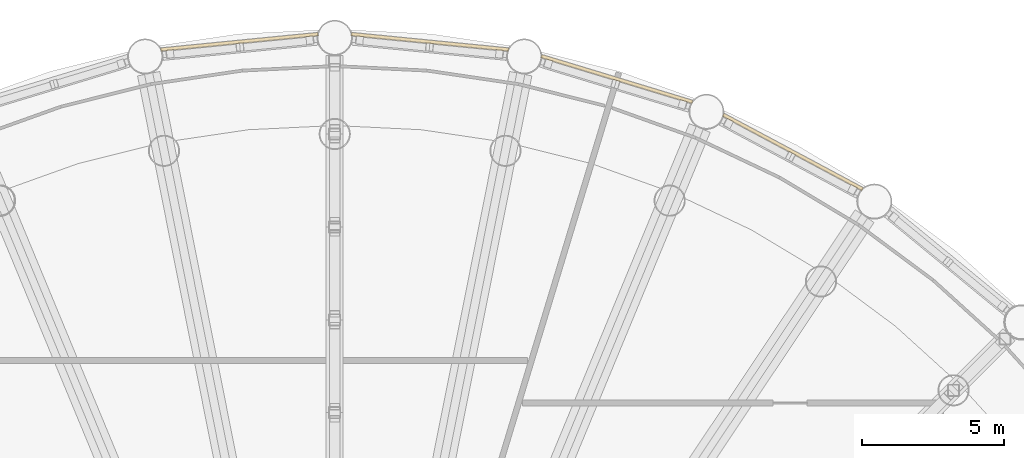
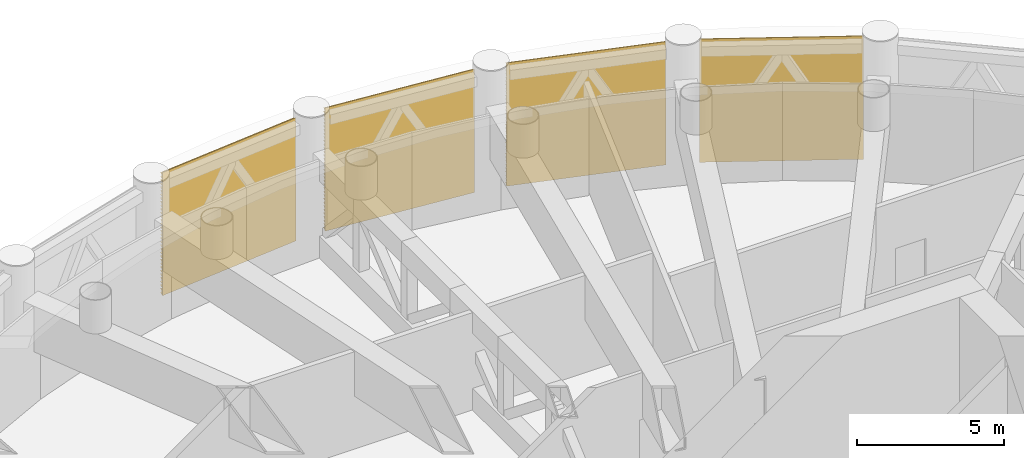
# One storey, part 29 of 29: 4 shading devices, 4 elements without a shape of their own.
"""IFC4 building model written with IfcOpenShell, lengths in metres."""

from ifc_helpers import new_model, si_unit, direction, frame, origin, place, context, subcontext, project, spatial, polyline, outline, extrude, material, material_profile, profile_set, type_object, element, aggregate, save


model = new_model("IFC4")

# Units and contexts
model_context = context("Model", 3, precision=1e-05, world=origin(), true_north=direction((0.0, 1.0)))
body_context = subcontext(model_context, "Body", "Model", "MODEL_VIEW")
ifc_project = project(units=[si_unit("LENGTHUNIT", "METRE"), si_unit("AREAUNIT", "SQUARE_METRE"), si_unit("VOLUMEUNIT", "CUBIC_METRE"), si_unit("PLANEANGLEUNIT", "RADIAN"), si_unit("MASSUNIT", "GRAM", prefix="KILO")], contexts=[model_context])

# Site, building, storey
site_placement = place(None, origin())
site = spatial("IfcSite", under=ifc_project, at=site_placement, CompositionType="ELEMENT")
building_placement = place(site_placement, origin())
building = spatial("IfcBuilding", under=site, at=building_placement, Name="Corvane Civic Tower", CompositionType="ELEMENT")
storey_placement = place(building_placement, frame((0.0, 0.0, 138.5)))
storey = spatial("IfcBuildingStorey", under=building, at=storey_placement, Name="L32", CompositionType="ELEMENT", Elevation=138.5)

# Curtain wall, shading device
ifc_material_1 = material(Name="Anodised aluminium bronze", Category="aluminium")
curtain_wall_type = type_object("IfcCurtainWallType", Name="TOWER CW-LV LOUVRE SCREEN WALL", PredefinedType="NOTDEFINED", material=ifc_material_1)
curtain_wall_1_placement = place(storey_placement, origin())
curtain_wall_1 = element("IfcCurtainWall", 1, at=curtain_wall_1_placement, inside=storey, type_object=curtain_wall_type, Name="Louvre screen wall CW-LV L32 bay 01", PredefinedType="NOTDEFINED")
ifc_material_2 = material(Name="Anodised aluminium bronze", Category="aluminium")
ifc_material_profile = material_profile(ifc_material_2, outline(polyline([(-0.06005859375, -2.56494140625), (-0.0400390625, -2.56494140625), (0.06005859375, -2.492919921875), (0.06005859375, -2.472900390625), (-0.0400390625, -2.544921875), (-0.0400390625, -2.4140625), (0.06005859375, -2.342041015625), (0.06005859375, -2.322021484375), (-0.0400390625, -2.39404296875), (-0.0400390625, -2.26318359375), (0.06005859375, -2.191162109375), (0.06005859375, -2.171142578125), (-0.0400390625, -2.2431640625), (-0.0400390625, -2.1123046875), (0.06005859375, -2.040283203125), (0.06005859375, -2.0205078125), (-0.0400390625, -2.09228515625), (-0.0400390625, -1.96142578125), (0.06005859375, -1.889404296875), (0.06005859375, -1.869384765625), (-0.0400390625, -1.94140625), (-0.0400390625, -1.810546875), (0.06005859375, -1.738525390625), (0.06005859375, -1.718505859375), (-0.0400390625, -1.79052734375), (-0.0400390625, -1.65966796875), (0.06005859375, -1.587646484375), (0.06005859375, -1.567626953125), (-0.0400390625, -1.6396484375), (-0.0400390625, -1.5087890625), (0.06005859375, -1.436767578125), (0.06005859375, -1.416748046875), (-0.0400390625, -1.48876953125), (-0.0400390625, -1.35791015625), (0.06005859375, -1.285888671875), (0.06005859375, -1.265869140625), (-0.0400390625, -1.337890625), (-0.0400390625, -1.20703125), (0.06005859375, -1.135009765625), (0.06005859375, -1.114990234375), (-0.0400390625, -1.18701171875), (-0.0400390625, -1.05615234375), (0.06005859375, -0.984130859375), (0.06005859375, -0.964111328125), (-0.0400390625, -1.0361328125), (-0.0400390625, -0.9052734375), (0.06005859375, -0.833251953125), (0.06005859375, -0.813232421875), (-0.0400390625, -0.88525390625), (-0.0400390625, -0.75439453125), (0.06005859375, -0.682373046875), (0.06005859375, -0.662353515625), (-0.0400390625, -0.734375), (-0.0400390625, -0.603515625), (0.06005859375, -0.531494140625), (0.06005859375, -0.511474609375), (-0.0400390625, -0.58349609375), (-0.0400390625, -0.45263671875), (0.06005859375, -0.380615234375), (0.06005859375, -0.360595703125), (-0.0400390625, -0.4326171875), (-0.0400390625, -0.3017578125), (0.06005859375, -0.229736328125), (0.06005859375, -0.209716796875), (-0.0400390625, -0.28173828125), (-0.0400390625, -0.15087890625), (0.06005859375, -0.078857421875), (0.06005859375, -0.058837890625), (-0.0400390625, -0.130859375), (-0.0400390625, 0.0), (0.06005859375, 0.072021484375), (0.06005859375, 0.092041015625), (-0.0400390625, 0.02001953125), (-0.0400390625, 0.15087890625), (0.06005859375, 0.222900390625), (0.06005859375, 0.242919921875), (-0.0400390625, 0.1708984375), (-0.0400390625, 0.3017578125), (0.06005859375, 0.373779296875), (0.06005859375, 0.393798828125), (-0.0400390625, 0.32177734375), (-0.0400390625, 0.45263671875), (0.06005859375, 0.524658203125), (0.06005859375, 0.544677734375), (-0.0400390625, 0.47265625), (-0.0400390625, 0.603515625), (0.06005859375, 0.675537109375), (0.06005859375, 0.695556640625), (-0.0400390625, 0.62353515625), (-0.0400390625, 0.75439453125), (0.06005859375, 0.826416015625), (0.06005859375, 0.846435546875), (-0.0400390625, 0.7744140625), (-0.0400390625, 0.9052734375), (0.06005859375, 0.977294921875), (0.06005859375, 0.997314453125), (-0.0400390625, 0.92529296875), (-0.0400390625, 1.05615234375), (0.06005859375, 1.128173828125), (0.06005859375, 1.148193359375), (-0.0400390625, 1.076171875), (-0.0400390625, 1.20703125), (0.06005859375, 1.279052734375), (0.06005859375, 1.299072265625), (-0.0400390625, 1.22705078125), (-0.0400390625, 1.35791015625), (0.06005859375, 1.429931640625), (0.06005859375, 1.449951171875), (-0.0400390625, 1.3779296875), (-0.0400390625, 1.5087890625), (0.06005859375, 1.580810546875), (0.06005859375, 1.600830078125), (-0.0400390625, 1.52880859375), (-0.0400390625, 1.65966796875), (0.06005859375, 1.731689453125), (0.06005859375, 1.751708984375), (-0.0400390625, 1.6796875), (-0.0400390625, 1.810546875), (0.06005859375, 1.882568359375), (0.06005859375, 1.902587890625), (-0.0400390625, 1.83056640625), (-0.0400390625, 1.96142578125), (0.06005859375, 2.033447265625), (0.06005859375, 2.053466796875), (-0.0400390625, 1.9814453125), (-0.0400390625, 2.1123046875), (0.06005859375, 2.184326171875), (0.06005859375, 2.204345703125), (-0.0400390625, 2.13232421875), (-0.0400390625, 2.26318359375), (0.06005859375, 2.335205078125), (0.06005859375, 2.355224609375), (-0.0400390625, 2.283203125), (-0.0400390625, 2.4140625), (0.06005859375, 2.486083984375), (0.06005859375, 2.506103515625), (-0.0400390625, 2.43408203125), (-0.0400390625, 2.56494140625), (-0.06005859375, 2.56494140625), (-0.06005859375, -2.56494140625)])), Name="TOWER LOUVRE BANK 5130 BRONZE")
ifc_profile_set = profile_set([ifc_material_profile], Name="Anodised aluminium bronze")
shading_device_type = type_object("IfcShadingDeviceType", Name="TOWER LOUVRE BANK 5130 BRONZE", PredefinedType="USERDEFINED", material=ifc_profile_set)
shading_device_1_placement = place(storey_placement, frame((0.58349609375, 34.422607421875, 2.68505859375), z_axis=(0.995179807033, -0.098067077419, 0.0), x_axis=(0.098067077419, 0.995179807033, 0.0)))
shading_device_1 = element("IfcShadingDevice", 2, at=shading_device_1_placement, type_object=shading_device_type, Name="Louvre bank L32 01.1", ObjectType="LOUVRE", PredefinedType="USERDEFINED", context=body_context, shape_type="SweptSolid", body=[
    extrude(outline(polyline([(-0.06005859375, -2.56494140625), (-0.0400390625, -2.56494140625), (0.06005859375, -2.492919921875), (0.06005859375, -2.472900390625), (-0.0400390625, -2.544921875), (-0.0400390625, -2.4140625), (0.06005859375, -2.342041015625), (0.06005859375, -2.322021484375), (-0.0400390625, -2.39404296875), (-0.0400390625, -2.26318359375), (0.06005859375, -2.191162109375), (0.06005859375, -2.171142578125), (-0.0400390625, -2.2431640625), (-0.0400390625, -2.1123046875), (0.06005859375, -2.040283203125), (0.06005859375, -2.0205078125), (-0.0400390625, -2.09228515625), (-0.0400390625, -1.96142578125), (0.06005859375, -1.889404296875), (0.06005859375, -1.869384765625), (-0.0400390625, -1.94140625), (-0.0400390625, -1.810546875), (0.06005859375, -1.738525390625), (0.06005859375, -1.718505859375), (-0.0400390625, -1.79052734375), (-0.0400390625, -1.65966796875), (0.06005859375, -1.587646484375), (0.06005859375, -1.567626953125), (-0.0400390625, -1.6396484375), (-0.0400390625, -1.5087890625), (0.06005859375, -1.436767578125), (0.06005859375, -1.416748046875), (-0.0400390625, -1.48876953125), (-0.0400390625, -1.35791015625), (0.06005859375, -1.285888671875), (0.06005859375, -1.265869140625), (-0.0400390625, -1.337890625), (-0.0400390625, -1.20703125), (0.06005859375, -1.135009765625), (0.06005859375, -1.114990234375), (-0.0400390625, -1.18701171875), (-0.0400390625, -1.05615234375), (0.06005859375, -0.984130859375), (0.06005859375, -0.964111328125), (-0.0400390625, -1.0361328125), (-0.0400390625, -0.9052734375), (0.06005859375, -0.833251953125), (0.06005859375, -0.813232421875), (-0.0400390625, -0.88525390625), (-0.0400390625, -0.75439453125), (0.06005859375, -0.682373046875), (0.06005859375, -0.662353515625), (-0.0400390625, -0.734375), (-0.0400390625, -0.603515625), (0.06005859375, -0.531494140625), (0.06005859375, -0.511474609375), (-0.0400390625, -0.58349609375), (-0.0400390625, -0.45263671875), (0.06005859375, -0.380615234375), (0.06005859375, -0.360595703125), (-0.0400390625, -0.4326171875), (-0.0400390625, -0.3017578125), (0.06005859375, -0.229736328125), (0.06005859375, -0.209716796875), (-0.0400390625, -0.28173828125), (-0.0400390625, -0.15087890625), (0.06005859375, -0.078857421875), (0.06005859375, -0.058837890625), (-0.0400390625, -0.130859375), (-0.0400390625, 0.0), (0.06005859375, 0.072021484375), (0.06005859375, 0.092041015625), (-0.0400390625, 0.02001953125), (-0.0400390625, 0.15087890625), (0.06005859375, 0.222900390625), (0.06005859375, 0.242919921875), (-0.0400390625, 0.1708984375), (-0.0400390625, 0.3017578125), (0.06005859375, 0.373779296875), (0.06005859375, 0.393798828125), (-0.0400390625, 0.32177734375), (-0.0400390625, 0.45263671875), (0.06005859375, 0.524658203125), (0.06005859375, 0.544677734375), (-0.0400390625, 0.47265625), (-0.0400390625, 0.603515625), (0.06005859375, 0.675537109375), (0.06005859375, 0.695556640625), (-0.0400390625, 0.62353515625), (-0.0400390625, 0.75439453125), (0.06005859375, 0.826416015625), (0.06005859375, 0.846435546875), (-0.0400390625, 0.7744140625), (-0.0400390625, 0.9052734375), (0.06005859375, 0.977294921875), (0.06005859375, 0.997314453125), (-0.0400390625, 0.92529296875), (-0.0400390625, 1.05615234375), (0.06005859375, 1.128173828125), (0.06005859375, 1.148193359375), (-0.0400390625, 1.076171875), (-0.0400390625, 1.20703125), (0.06005859375, 1.279052734375), (0.06005859375, 1.299072265625), (-0.0400390625, 1.22705078125), (-0.0400390625, 1.35791015625), (0.06005859375, 1.429931640625), (0.06005859375, 1.449951171875), (-0.0400390625, 1.3779296875), (-0.0400390625, 1.5087890625), (0.06005859375, 1.580810546875), (0.06005859375, 1.600830078125), (-0.0400390625, 1.52880859375), (-0.0400390625, 1.65966796875), (0.06005859375, 1.731689453125), (0.06005859375, 1.751708984375), (-0.0400390625, 1.6796875), (-0.0400390625, 1.810546875), (0.06005859375, 1.882568359375), (0.06005859375, 1.902587890625), (-0.0400390625, 1.83056640625), (-0.0400390625, 1.96142578125), (0.06005859375, 2.033447265625), (0.06005859375, 2.053466796875), (-0.0400390625, 1.9814453125), (-0.0400390625, 2.1123046875), (0.06005859375, 2.184326171875), (0.06005859375, 2.204345703125), (-0.0400390625, 2.13232421875), (-0.0400390625, 2.26318359375), (0.06005859375, 2.335205078125), (0.06005859375, 2.355224609375), (-0.0400390625, 2.283203125), (-0.0400390625, 2.4140625), (0.06005859375, 2.486083984375), (0.06005859375, 2.506103515625), (-0.0400390625, 2.43408203125), (-0.0400390625, 2.56494140625), (-0.06005859375, 2.56494140625), (-0.06005859375, -2.56494140625)])), origin(), (0.0, 0.0, 1.0), 5.58642578125),
])
aggregate(curtain_wall_1, [shading_device_1])

curtain_wall_2_placement = place(storey_placement, origin())
curtain_wall_2 = element("IfcCurtainWall", 3, at=curtain_wall_2_placement, inside=storey, type_object=curtain_wall_type, Name="Louvre screen wall CW-LV L32 bay 02", PredefinedType="NOTDEFINED")
shading_device_2_placement = place(storey_placement, frame((7.287841796875, 33.647216796875, 2.68505859375), z_axis=(0.956944977029, -0.290269376509, 0.0), x_axis=(0.290269376509, 0.956944977029, 0.0)))
shading_device_2 = element("IfcShadingDevice", 4, at=shading_device_2_placement, type_object=shading_device_type, Name="Louvre bank L32 02.1", ObjectType="LOUVRE", PredefinedType="USERDEFINED", context=body_context, shape_type="SweptSolid", body=[
    extrude(outline(polyline([(-0.06005859375, -2.56494140625), (-0.0400390625, -2.56494140625), (0.06005859375, -2.492919921875), (0.06005859375, -2.472900390625), (-0.0400390625, -2.544921875), (-0.0400390625, -2.4140625), (0.06005859375, -2.342041015625), (0.06005859375, -2.322021484375), (-0.0400390625, -2.39404296875), (-0.0400390625, -2.26318359375), (0.06005859375, -2.191162109375), (0.06005859375, -2.171142578125), (-0.0400390625, -2.2431640625), (-0.0400390625, -2.1123046875), (0.06005859375, -2.040283203125), (0.06005859375, -2.0205078125), (-0.0400390625, -2.09228515625), (-0.0400390625, -1.96142578125), (0.06005859375, -1.889404296875), (0.06005859375, -1.869384765625), (-0.0400390625, -1.94140625), (-0.0400390625, -1.810546875), (0.06005859375, -1.738525390625), (0.06005859375, -1.718505859375), (-0.0400390625, -1.79052734375), (-0.0400390625, -1.65966796875), (0.06005859375, -1.587646484375), (0.06005859375, -1.567626953125), (-0.0400390625, -1.6396484375), (-0.0400390625, -1.5087890625), (0.06005859375, -1.436767578125), (0.06005859375, -1.416748046875), (-0.0400390625, -1.48876953125), (-0.0400390625, -1.35791015625), (0.06005859375, -1.285888671875), (0.06005859375, -1.265869140625), (-0.0400390625, -1.337890625), (-0.0400390625, -1.20703125), (0.06005859375, -1.135009765625), (0.06005859375, -1.114990234375), (-0.0400390625, -1.18701171875), (-0.0400390625, -1.05615234375), (0.06005859375, -0.984130859375), (0.06005859375, -0.964111328125), (-0.0400390625, -1.0361328125), (-0.0400390625, -0.9052734375), (0.06005859375, -0.833251953125), (0.06005859375, -0.813232421875), (-0.0400390625, -0.88525390625), (-0.0400390625, -0.75439453125), (0.06005859375, -0.682373046875), (0.06005859375, -0.662353515625), (-0.0400390625, -0.734375), (-0.0400390625, -0.603515625), (0.06005859375, -0.531494140625), (0.06005859375, -0.511474609375), (-0.0400390625, -0.58349609375), (-0.0400390625, -0.45263671875), (0.06005859375, -0.380615234375), (0.06005859375, -0.360595703125), (-0.0400390625, -0.4326171875), (-0.0400390625, -0.3017578125), (0.06005859375, -0.229736328125), (0.06005859375, -0.209716796875), (-0.0400390625, -0.28173828125), (-0.0400390625, -0.15087890625), (0.06005859375, -0.078857421875), (0.06005859375, -0.058837890625), (-0.0400390625, -0.130859375), (-0.0400390625, 0.0), (0.06005859375, 0.072021484375), (0.06005859375, 0.092041015625), (-0.0400390625, 0.02001953125), (-0.0400390625, 0.15087890625), (0.06005859375, 0.222900390625), (0.06005859375, 0.242919921875), (-0.0400390625, 0.1708984375), (-0.0400390625, 0.3017578125), (0.06005859375, 0.373779296875), (0.06005859375, 0.393798828125), (-0.0400390625, 0.32177734375), (-0.0400390625, 0.45263671875), (0.06005859375, 0.524658203125), (0.06005859375, 0.544677734375), (-0.0400390625, 0.47265625), (-0.0400390625, 0.603515625), (0.06005859375, 0.675537109375), (0.06005859375, 0.695556640625), (-0.0400390625, 0.62353515625), (-0.0400390625, 0.75439453125), (0.06005859375, 0.826416015625), (0.06005859375, 0.846435546875), (-0.0400390625, 0.7744140625), (-0.0400390625, 0.9052734375), (0.06005859375, 0.977294921875), (0.06005859375, 0.997314453125), (-0.0400390625, 0.92529296875), (-0.0400390625, 1.05615234375), (0.06005859375, 1.128173828125), (0.06005859375, 1.148193359375), (-0.0400390625, 1.076171875), (-0.0400390625, 1.20703125), (0.06005859375, 1.279052734375), (0.06005859375, 1.299072265625), (-0.0400390625, 1.22705078125), (-0.0400390625, 1.35791015625), (0.06005859375, 1.429931640625), (0.06005859375, 1.449951171875), (-0.0400390625, 1.3779296875), (-0.0400390625, 1.5087890625), (0.06005859375, 1.580810546875), (0.06005859375, 1.600830078125), (-0.0400390625, 1.52880859375), (-0.0400390625, 1.65966796875), (0.06005859375, 1.731689453125), (0.06005859375, 1.751708984375), (-0.0400390625, 1.6796875), (-0.0400390625, 1.810546875), (0.06005859375, 1.882568359375), (0.06005859375, 1.902587890625), (-0.0400390625, 1.83056640625), (-0.0400390625, 1.96142578125), (0.06005859375, 2.033447265625), (0.06005859375, 2.053466796875), (-0.0400390625, 1.9814453125), (-0.0400390625, 2.1123046875), (0.06005859375, 2.184326171875), (0.06005859375, 2.204345703125), (-0.0400390625, 2.13232421875), (-0.0400390625, 2.26318359375), (0.06005859375, 2.335205078125), (0.06005859375, 2.355224609375), (-0.0400390625, 2.283203125), (-0.0400390625, 2.4140625), (0.06005859375, 2.486083984375), (0.06005859375, 2.506103515625), (-0.0400390625, 2.43408203125), (-0.0400390625, 2.56494140625), (-0.06005859375, 2.56494140625), (-0.06005859375, -2.56494140625)])), origin(), (0.0, 0.0, 1.0), 5.58642578125),
])
aggregate(curtain_wall_2, [shading_device_2])

curtain_wall_3_placement = place(storey_placement, origin())
curtain_wall_3 = element("IfcCurtainWall", 5, at=curtain_wall_3_placement, inside=storey, type_object=curtain_wall_type, Name="Louvre screen wall CW-LV L32 bay 03", PredefinedType="NOTDEFINED")
shading_device_3_placement = place(storey_placement, frame((13.712158203125, 31.5791015625, 2.68505859375), z_axis=(0.881920705407, -0.47139778253, 0.0), x_axis=(0.47139778253, 0.881920705407, 0.0)))
shading_device_3 = element("IfcShadingDevice", 6, at=shading_device_3_placement, type_object=shading_device_type, Name="Louvre bank L32 03.1", ObjectType="LOUVRE", PredefinedType="USERDEFINED", context=body_context, shape_type="SweptSolid", body=[
    extrude(outline(polyline([(-0.06005859375, -2.56494140625), (-0.0400390625, -2.56494140625), (0.06005859375, -2.492919921875), (0.06005859375, -2.472900390625), (-0.0400390625, -2.544921875), (-0.0400390625, -2.4140625), (0.06005859375, -2.342041015625), (0.06005859375, -2.322021484375), (-0.0400390625, -2.39404296875), (-0.0400390625, -2.26318359375), (0.06005859375, -2.191162109375), (0.06005859375, -2.171142578125), (-0.0400390625, -2.2431640625), (-0.0400390625, -2.1123046875), (0.06005859375, -2.040283203125), (0.06005859375, -2.0205078125), (-0.0400390625, -2.09228515625), (-0.0400390625, -1.96142578125), (0.06005859375, -1.889404296875), (0.06005859375, -1.869384765625), (-0.0400390625, -1.94140625), (-0.0400390625, -1.810546875), (0.06005859375, -1.738525390625), (0.06005859375, -1.718505859375), (-0.0400390625, -1.79052734375), (-0.0400390625, -1.65966796875), (0.06005859375, -1.587646484375), (0.06005859375, -1.567626953125), (-0.0400390625, -1.6396484375), (-0.0400390625, -1.5087890625), (0.06005859375, -1.436767578125), (0.06005859375, -1.416748046875), (-0.0400390625, -1.48876953125), (-0.0400390625, -1.35791015625), (0.06005859375, -1.285888671875), (0.06005859375, -1.265869140625), (-0.0400390625, -1.337890625), (-0.0400390625, -1.20703125), (0.06005859375, -1.135009765625), (0.06005859375, -1.114990234375), (-0.0400390625, -1.18701171875), (-0.0400390625, -1.05615234375), (0.06005859375, -0.984130859375), (0.06005859375, -0.964111328125), (-0.0400390625, -1.0361328125), (-0.0400390625, -0.9052734375), (0.06005859375, -0.833251953125), (0.06005859375, -0.813232421875), (-0.0400390625, -0.88525390625), (-0.0400390625, -0.75439453125), (0.06005859375, -0.682373046875), (0.06005859375, -0.662353515625), (-0.0400390625, -0.734375), (-0.0400390625, -0.603515625), (0.06005859375, -0.531494140625), (0.06005859375, -0.511474609375), (-0.0400390625, -0.58349609375), (-0.0400390625, -0.45263671875), (0.06005859375, -0.380615234375), (0.06005859375, -0.360595703125), (-0.0400390625, -0.4326171875), (-0.0400390625, -0.3017578125), (0.06005859375, -0.229736328125), (0.06005859375, -0.209716796875), (-0.0400390625, -0.28173828125), (-0.0400390625, -0.15087890625), (0.06005859375, -0.078857421875), (0.06005859375, -0.058837890625), (-0.0400390625, -0.130859375), (-0.0400390625, 0.0), (0.06005859375, 0.072021484375), (0.06005859375, 0.092041015625), (-0.0400390625, 0.02001953125), (-0.0400390625, 0.15087890625), (0.06005859375, 0.222900390625), (0.06005859375, 0.242919921875), (-0.0400390625, 0.1708984375), (-0.0400390625, 0.3017578125), (0.06005859375, 0.373779296875), (0.06005859375, 0.393798828125), (-0.0400390625, 0.32177734375), (-0.0400390625, 0.45263671875), (0.06005859375, 0.524658203125), (0.06005859375, 0.544677734375), (-0.0400390625, 0.47265625), (-0.0400390625, 0.603515625), (0.06005859375, 0.675537109375), (0.06005859375, 0.695556640625), (-0.0400390625, 0.62353515625), (-0.0400390625, 0.75439453125), (0.06005859375, 0.826416015625), (0.06005859375, 0.846435546875), (-0.0400390625, 0.7744140625), (-0.0400390625, 0.9052734375), (0.06005859375, 0.977294921875), (0.06005859375, 0.997314453125), (-0.0400390625, 0.92529296875), (-0.0400390625, 1.05615234375), (0.06005859375, 1.128173828125), (0.06005859375, 1.148193359375), (-0.0400390625, 1.076171875), (-0.0400390625, 1.20703125), (0.06005859375, 1.279052734375), (0.06005859375, 1.299072265625), (-0.0400390625, 1.22705078125), (-0.0400390625, 1.35791015625), (0.06005859375, 1.429931640625), (0.06005859375, 1.449951171875), (-0.0400390625, 1.3779296875), (-0.0400390625, 1.5087890625), (0.06005859375, 1.580810546875), (0.06005859375, 1.600830078125), (-0.0400390625, 1.52880859375), (-0.0400390625, 1.65966796875), (0.06005859375, 1.731689453125), (0.06005859375, 1.751708984375), (-0.0400390625, 1.6796875), (-0.0400390625, 1.810546875), (0.06005859375, 1.882568359375), (0.06005859375, 1.902587890625), (-0.0400390625, 1.83056640625), (-0.0400390625, 1.96142578125), (0.06005859375, 2.033447265625), (0.06005859375, 2.053466796875), (-0.0400390625, 1.9814453125), (-0.0400390625, 2.1123046875), (0.06005859375, 2.184326171875), (0.06005859375, 2.204345703125), (-0.0400390625, 2.13232421875), (-0.0400390625, 2.26318359375), (0.06005859375, 2.335205078125), (0.06005859375, 2.355224609375), (-0.0400390625, 2.283203125), (-0.0400390625, 2.4140625), (0.06005859375, 2.486083984375), (0.06005859375, 2.506103515625), (-0.0400390625, 2.43408203125), (-0.0400390625, 2.56494140625), (-0.06005859375, 2.56494140625), (-0.06005859375, -2.56494140625)])), origin(), (0.0, 0.0, 1.0), 5.586669921875),
])
aggregate(curtain_wall_3, [shading_device_3])

curtain_wall_4_placement = place(storey_placement, origin())
curtain_wall_4 = element("IfcCurtainWall", 7, at=curtain_wall_4_placement, inside=storey, type_object=curtain_wall_type, Name="Louvre screen wall CW-LV L32 bay 32", PredefinedType="NOTDEFINED")
shading_device_4_placement = place(storey_placement, frame((-6.14306640625, 33.874755859375, 2.68505859375), z_axis=(0.995179807033, 0.098067077419, 0.0), x_axis=(-0.098067077419, 0.995179807033, 0.0)))
shading_device_4 = element("IfcShadingDevice", 8, at=shading_device_4_placement, type_object=shading_device_type, Name="Louvre bank L32 32.1", ObjectType="LOUVRE", PredefinedType="USERDEFINED", context=body_context, shape_type="SweptSolid", body=[
    extrude(outline(polyline([(-0.06005859375, -2.56494140625), (-0.0400390625, -2.56494140625), (0.06005859375, -2.492919921875), (0.06005859375, -2.472900390625), (-0.0400390625, -2.544921875), (-0.0400390625, -2.4140625), (0.06005859375, -2.342041015625), (0.06005859375, -2.322021484375), (-0.0400390625, -2.39404296875), (-0.0400390625, -2.26318359375), (0.06005859375, -2.191162109375), (0.06005859375, -2.171142578125), (-0.0400390625, -2.2431640625), (-0.0400390625, -2.1123046875), (0.06005859375, -2.040283203125), (0.06005859375, -2.0205078125), (-0.0400390625, -2.09228515625), (-0.0400390625, -1.96142578125), (0.06005859375, -1.889404296875), (0.06005859375, -1.869384765625), (-0.0400390625, -1.94140625), (-0.0400390625, -1.810546875), (0.06005859375, -1.738525390625), (0.06005859375, -1.718505859375), (-0.0400390625, -1.79052734375), (-0.0400390625, -1.65966796875), (0.06005859375, -1.587646484375), (0.06005859375, -1.567626953125), (-0.0400390625, -1.6396484375), (-0.0400390625, -1.5087890625), (0.06005859375, -1.436767578125), (0.06005859375, -1.416748046875), (-0.0400390625, -1.48876953125), (-0.0400390625, -1.35791015625), (0.06005859375, -1.285888671875), (0.06005859375, -1.265869140625), (-0.0400390625, -1.337890625), (-0.0400390625, -1.20703125), (0.06005859375, -1.135009765625), (0.06005859375, -1.114990234375), (-0.0400390625, -1.18701171875), (-0.0400390625, -1.05615234375), (0.06005859375, -0.984130859375), (0.06005859375, -0.964111328125), (-0.0400390625, -1.0361328125), (-0.0400390625, -0.9052734375), (0.06005859375, -0.833251953125), (0.06005859375, -0.813232421875), (-0.0400390625, -0.88525390625), (-0.0400390625, -0.75439453125), (0.06005859375, -0.682373046875), (0.06005859375, -0.662353515625), (-0.0400390625, -0.734375), (-0.0400390625, -0.603515625), (0.06005859375, -0.531494140625), (0.06005859375, -0.511474609375), (-0.0400390625, -0.58349609375), (-0.0400390625, -0.45263671875), (0.06005859375, -0.380615234375), (0.06005859375, -0.360595703125), (-0.0400390625, -0.4326171875), (-0.0400390625, -0.3017578125), (0.06005859375, -0.229736328125), (0.06005859375, -0.209716796875), (-0.0400390625, -0.28173828125), (-0.0400390625, -0.15087890625), (0.06005859375, -0.078857421875), (0.06005859375, -0.058837890625), (-0.0400390625, -0.130859375), (-0.0400390625, 0.0), (0.06005859375, 0.072021484375), (0.06005859375, 0.092041015625), (-0.0400390625, 0.02001953125), (-0.0400390625, 0.15087890625), (0.06005859375, 0.222900390625), (0.06005859375, 0.242919921875), (-0.0400390625, 0.1708984375), (-0.0400390625, 0.3017578125), (0.06005859375, 0.373779296875), (0.06005859375, 0.393798828125), (-0.0400390625, 0.32177734375), (-0.0400390625, 0.45263671875), (0.06005859375, 0.524658203125), (0.06005859375, 0.544677734375), (-0.0400390625, 0.47265625), (-0.0400390625, 0.603515625), (0.06005859375, 0.675537109375), (0.06005859375, 0.695556640625), (-0.0400390625, 0.62353515625), (-0.0400390625, 0.75439453125), (0.06005859375, 0.826416015625), (0.06005859375, 0.846435546875), (-0.0400390625, 0.7744140625), (-0.0400390625, 0.9052734375), (0.06005859375, 0.977294921875), (0.06005859375, 0.997314453125), (-0.0400390625, 0.92529296875), (-0.0400390625, 1.05615234375), (0.06005859375, 1.128173828125), (0.06005859375, 1.148193359375), (-0.0400390625, 1.076171875), (-0.0400390625, 1.20703125), (0.06005859375, 1.279052734375), (0.06005859375, 1.299072265625), (-0.0400390625, 1.22705078125), (-0.0400390625, 1.35791015625), (0.06005859375, 1.429931640625), (0.06005859375, 1.449951171875), (-0.0400390625, 1.3779296875), (-0.0400390625, 1.5087890625), (0.06005859375, 1.580810546875), (0.06005859375, 1.600830078125), (-0.0400390625, 1.52880859375), (-0.0400390625, 1.65966796875), (0.06005859375, 1.731689453125), (0.06005859375, 1.751708984375), (-0.0400390625, 1.6796875), (-0.0400390625, 1.810546875), (0.06005859375, 1.882568359375), (0.06005859375, 1.902587890625), (-0.0400390625, 1.83056640625), (-0.0400390625, 1.96142578125), (0.06005859375, 2.033447265625), (0.06005859375, 2.053466796875), (-0.0400390625, 1.9814453125), (-0.0400390625, 2.1123046875), (0.06005859375, 2.184326171875), (0.06005859375, 2.204345703125), (-0.0400390625, 2.13232421875), (-0.0400390625, 2.26318359375), (0.06005859375, 2.335205078125), (0.06005859375, 2.355224609375), (-0.0400390625, 2.283203125), (-0.0400390625, 2.4140625), (0.06005859375, 2.486083984375), (0.06005859375, 2.506103515625), (-0.0400390625, 2.43408203125), (-0.0400390625, 2.56494140625), (-0.06005859375, 2.56494140625), (-0.06005859375, -2.56494140625)])), origin(), (0.0, 0.0, 1.0), 5.58642578125),
])
aggregate(curtain_wall_4, [shading_device_4])

save(model, "model.ifc")
